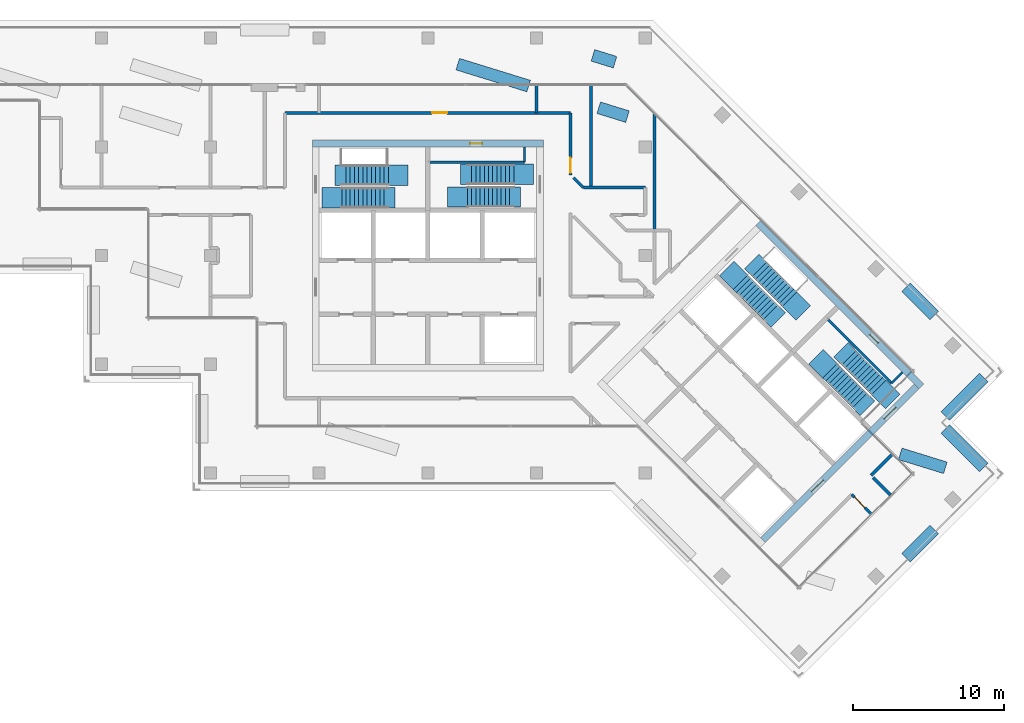
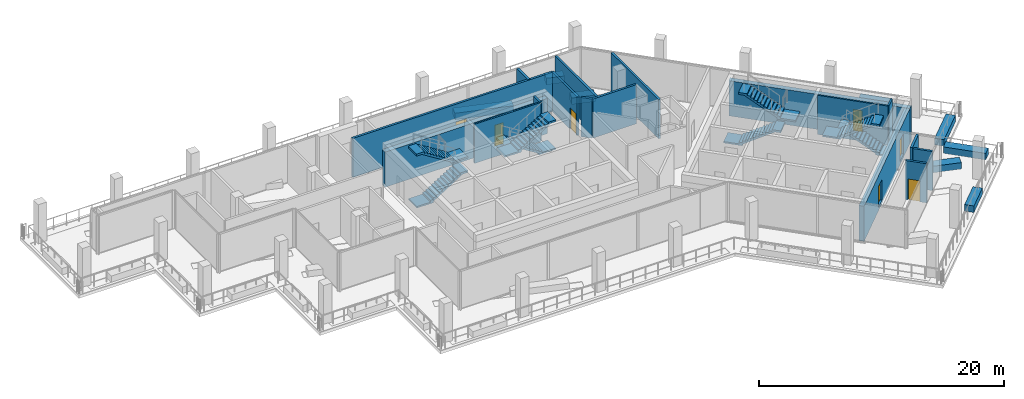
# One storey, part 11 of 20: 25 walls, 8 stair flights, 7 doors, 7 openings, 4 elements without a shape of their own.
"""IFC4 building model written with IfcOpenShell, lengths in metres."""

import ifcopenshell
import ifcopenshell.guid

model = None  # the IFC model being written
_history = None  # IfcOwnerHistory: only IFC2X3 demands one
_inside = {}  # id of a spatial element -> (the spatial element, [elements in it])
_under = {}  # id of a project, library or spatial element -> (it, [spatial elements below it])
_declared = {}  # id of a project -> (the project, [libraries it declares])
_typed = {}  # id of a type object -> (the type object, [elements of that type])
_made_of = {}  # id of a material, layer set ... -> (it, [elements and type objects made of it])


def new_model(schema):
    """Start an empty IFC model of exactly this schema.

    Asked for "IFC4X3", IfcOpenShell would pick the latest addendum, in which some entities
    have other attributes; the version numbers below select the first issue.
    IFC2X3 requires an IfcOwnerHistory on every rooted entity: one is made here for all.
    """
    global model, _history
    if schema == "IFC4X3":
        model = ifcopenshell.file(schema_version=(4, 3, 0, 0))
    else:
        model = ifcopenshell.file(schema=schema)
    _inside.clear()
    _under.clear()
    _declared.clear()
    _typed.clear()
    _made_of.clear()
    _history = None
    if model.schema == "IFC2X3":
        org = make("IfcOrganization", Name="unknown")
        user = make(
            "IfcPersonAndOrganization",
            ThePerson=make("IfcPerson", FamilyName="unknown"),
            TheOrganization=org,
        )
        app = make(
            "IfcApplication",
            ApplicationDeveloper=org,
            Version="unknown",
            ApplicationFullName="unknown",
            ApplicationIdentifier="unknown",
        )
        _history = make(
            "IfcOwnerHistory",
            OwningUser=user,
            OwningApplication=app,
            ChangeAction="ADDED",
            CreationDate=0,
        )
    return model


def make(cls, **values):
    """One entity of the class cls with the attributes given. An attribute that is None is left unset."""
    return model.create_entity(
        cls, **{name: value for name, value in values.items() if value is not None}
    )


def rooted(cls, **values):
    """An entity with a GlobalId (a new one), such as an element, a storey or a relation."""
    return make(cls, GlobalId=ifcopenshell.guid.new(), OwnerHistory=_history, **values)


def si_unit(unit_type, name, prefix=None):
    """IfcSIUnit, for example si_unit("LENGTHUNIT", "METRE", prefix="MILLI")."""
    return make("IfcSIUnit", UnitType=unit_type, Prefix=prefix, Name=name)


def assignment(units):
    """IfcUnitAssignment: the units of a project."""
    return None if units is None else make("IfcUnitAssignment", Units=units)


def point(xyz):
    """IfcCartesianPoint."""
    return None if xyz is None else make("IfcCartesianPoint", Coordinates=xyz)


def direction(xyz):
    """IfcDirection."""
    return None if xyz is None else make("IfcDirection", DirectionRatios=xyz)


def frame(location, z_axis=None, x_axis=None):
    """IfcAxis2Placement3D, a coordinate frame: its origin and axes. An axis left out is left unset."""
    return make(
        "IfcAxis2Placement3D",
        Location=point(location),
        Axis=direction(z_axis),
        RefDirection=direction(x_axis),
    )


def frame_2d(location, x_axis=None):
    """IfcAxis2Placement2D, a coordinate frame in the plane: its origin and x axis."""
    return make(
        "IfcAxis2Placement2D", Location=point(location), RefDirection=direction(x_axis)
    )


def origin():
    """The frame at (0, 0, 0) with its axes left unset."""
    return frame((0.0, 0.0, 0.0))


def place(relative_to, where):
    """IfcLocalPlacement: puts the frame where relative to a parent placement (None: the world)."""
    return make(
        "IfcLocalPlacement", PlacementRelTo=relative_to, RelativePlacement=where
    )


def context(
    kind, dimensions, precision=None, world=None, true_north=None, identifier=None
):
    """IfcGeometricRepresentationContext, for example the 3D "Model" context."""
    return make(
        "IfcGeometricRepresentationContext",
        ContextIdentifier=identifier,
        ContextType=kind,
        CoordinateSpaceDimension=dimensions,
        Precision=precision,
        WorldCoordinateSystem=world,
        TrueNorth=true_north,
    )


def subcontext(parent, identifier, kind, view, scale=None):
    """IfcGeometricRepresentationSubContext, for example "Body" below "Model"."""
    return make(
        "IfcGeometricRepresentationSubContext",
        ContextIdentifier=identifier,
        ContextType=kind,
        ParentContext=parent,
        TargetScale=scale,
        TargetView=view,
    )


def project(units=None, contexts=None):
    """IfcProject with its units and contexts."""
    return rooted(
        "IfcProject",
        Name="project",
        RepresentationContexts=contexts,
        UnitsInContext=assignment(units),
    )


def spatial(cls, under=None, at=None, **own):
    """A site, building, storey or space (cls), placed at a placement, below another one or the project."""
    s = rooted(cls, ObjectPlacement=at, **own)
    if under is not None:
        _under.setdefault(under.id(), (under, []))[1].append(s)
    return s


def polyline(points):
    """IfcPolyline through the points."""
    return make("IfcPolyline", Points=[point(p) for p in points])


def profile(cls, at=None, kind="AREA", **sizes):
    """A parametric profile (cls). Its sizes go by their IFC names, for example OverallWidth=200.0."""
    return make(cls, ProfileType=kind, Position=at, **sizes)


def rectangle(**sizes):
    """IfcRectangleProfileDef."""
    return profile("IfcRectangleProfileDef", **sizes)


def outline(outer, holes=None, kind="AREA"):
    """IfcArbitraryClosedProfileDef: a profile drawn as a closed curve; with holes, ...WithVoids."""
    if holes is None:
        return make("IfcArbitraryClosedProfileDef", ProfileType=kind, OuterCurve=outer)
    return make(
        "IfcArbitraryProfileDefWithVoids",
        ProfileType=kind,
        OuterCurve=outer,
        InnerCurves=holes,
    )


def extrude(swept, where, along, depth):
    """IfcExtrudedAreaSolid: the profile swept, set in the frame where, extruded along a direction by depth."""
    return make(
        "IfcExtrudedAreaSolid",
        SweptArea=swept,
        Position=where,
        ExtrudedDirection=direction(along),
        Depth=depth,
    )


def shape(context_of_items, identifier, shape_type, items):
    """IfcShapeRepresentation: the items that make up one representation, for example the "Body"."""
    return make(
        "IfcShapeRepresentation",
        ContextOfItems=context_of_items,
        RepresentationIdentifier=identifier,
        RepresentationType=shape_type,
        Items=items,
    )


def material(Name=None, Category=None):
    """IfcMaterial."""
    return make("IfcMaterial", Name=Name, Category=Category)


def layer(
    of_material, thickness, ventilated=None, Name=None, Category=None, Priority=None
):
    """IfcMaterialLayer: one layer of a wall or slab, of a material (None: an air gap)."""
    return make(
        "IfcMaterialLayer",
        Material=of_material,
        LayerThickness=thickness,
        IsVentilated=ventilated,
        Name=Name,
        Category=Category,
        Priority=Priority,
    )


def layer_set(layers, Name=None):
    """IfcMaterialLayerSet."""
    return make("IfcMaterialLayerSet", MaterialLayers=layers, LayerSetName=Name)


def made_of(thing, what):
    """Note that an element or type object is made of a material, layer set ...; save() writes the relation."""
    if what is not None:
        _made_of.setdefault(what.id(), (what, []))[1].append(thing)
    return thing


def type_object(cls, material=None, **own):
    """A type object (cls), such as IfcWallType, which elements share."""
    return made_of(rooted(cls, **own), material)


def element(
    cls,
    number,
    at=None,
    inside=None,
    cuts=None,
    type_object=None,
    material=None,
    context=None,
    identifier="Body",
    shape_type=None,
    held_by="IfcProductDefinitionShape",
    body=None,
    shapes=None,
    **own,
):
    """One element of the class cls, such as IfcWall. Its Tag is "e" and its number.

    at: its placement. inside: the storey or other place that contains it. cuts: it is an
    opening in that element (IfcRelVoidsElement). A single representation is given by context,
    identifier, shape_type and body (its items); several are given by shapes. held_by: the class
    of the entity that holds the representations. save() writes the other relations.
    """
    e = rooted(cls, Tag="e%d" % number, ObjectPlacement=at, **own)
    if body is not None:
        shapes = [shape(context, identifier, shape_type, body)]
    if shapes is not None:
        e.Representation = make(held_by, Representations=shapes)
    if inside is not None:
        _inside.setdefault(inside.id(), (inside, []))[1].append(e)
    if cuts is not None:
        rooted(
            "IfcRelVoidsElement", RelatingBuildingElement=cuts, RelatedOpeningElement=e
        )
    if type_object is not None:
        _typed.setdefault(type_object.id(), (type_object, []))[1].append(e)
    return made_of(e, material)


def fill(opening, filler):
    """IfcRelFillsElement: the door or window that sits in an opening."""
    return rooted(
        "IfcRelFillsElement",
        RelatingOpeningElement=opening,
        RelatedBuildingElement=filler,
    )


def aggregate(whole, parts):
    """IfcRelAggregates: a whole, such as a stair, and the parts it consists of."""
    return rooted("IfcRelAggregates", RelatingObject=whole, RelatedObjects=parts)


def save(model, path):
    """Write the relations noted so far, then the file.

    IfcRelAggregates (storeys below a building ...), IfcRelContainedInSpatialStructure (elements
    in a storey), IfcRelDefinesByType, IfcRelAssociatesMaterial and IfcRelDeclares: one each for
    every whole, place, type object, material and project.
    """
    for whole, parts in _under.values():
        aggregate(whole, parts)
    for where, things in _inside.values():
        rooted(
            "IfcRelContainedInSpatialStructure",
            RelatedElements=things,
            RelatingStructure=where,
        )
    for kind, things in _typed.values():
        rooted("IfcRelDefinesByType", RelatedObjects=things, RelatingType=kind)
    for what, things in _made_of.values():
        rooted("IfcRelAssociatesMaterial", RelatedObjects=things, RelatingMaterial=what)
    for by, libraries in _declared.values():
        rooted("IfcRelDeclares", RelatingContext=by, RelatedDefinitions=libraries)
    model.write(path)


model = new_model("IFC4")

# Units and contexts
model_context = context("Model", 3, precision=1e-05, world=origin(), true_north=direction((0.0, 1.0)))
body_context = subcontext(model_context, "Body", "Model", "MODEL_VIEW")
ifc_project = project(units=[si_unit("LENGTHUNIT", "METRE"), si_unit("AREAUNIT", "SQUARE_METRE"), si_unit("VOLUMEUNIT", "CUBIC_METRE"), si_unit("PLANEANGLEUNIT", "RADIAN"), si_unit("MASSUNIT", "GRAM", prefix="KILO")], contexts=[model_context])

# Site, building, storey
site_placement = place(None, origin())
site = spatial("IfcSite", under=ifc_project, at=site_placement, CompositionType="ELEMENT")
building_placement = place(site_placement, origin())
building = spatial("IfcBuilding", under=site, at=building_placement, Name="Windrow Commons", CompositionType="ELEMENT")
storey_placement = place(building_placement, frame((0.0, 0.0, 239.6)))
storey = spatial("IfcBuildingStorey", under=building, at=storey_placement, Name="L65", CompositionType="ELEMENT", Elevation=239.6)

# Wall, opening, door
ifc_material_1 = material(Name="Blockwork partition", Category="masonry")
ifc_layer_1 = layer(ifc_material_1, 0.2)
ifc_layer_set_1 = layer_set([ifc_layer_1], Name="IW-CORRIDOR-200")
wall_type_1 = type_object("IfcWallType", Name="IW-CORRIDOR-200", PredefinedType="PARTITIONING", material=ifc_layer_set_1)
wall_1_placement = place(storey_placement, frame((55.35, 67.05, 0.0), z_axis=(0.0, 0.0, 1.0), x_axis=(1.0, 0.0, 0.0)))
wall_1 = element("IfcWall", 1, at=wall_1_placement, inside=storey, type_object=wall_type_1, Name="W-L65-W001", PredefinedType="PARTITIONING", context=body_context, shape_type="SweptSolid", body=[
    extrude(rectangle(XDim=18.9, YDim=0.2, at=frame_2d((9.45, 0.0))), origin(), (0.0, 0.0, 1.0), 3.9),
])
opening_1_placement = place(wall_1_placement, frame((9.7331, 0.0, 0.0)))
opening_1 = element("IfcOpeningElement", 2, at=opening_1_placement, cuts=wall_1, Name="Opening D310F", PredefinedType="OPENING", context=body_context, shape_type="SweptSolid", body=[
    extrude(rectangle(XDim=1.0, YDim=2.1, at=frame_2d((0.5, 1.05))), frame((0.0, 0.11, 0.0), z_axis=(0.0, -1.0, 0.0), x_axis=(1.0, 0.0, 0.0)), (0.0, 0.0, 1.0), 0.22),
])
ifc_material_2 = material(Name="Timber door leaf", Category="wood")
door_type_1 = type_object("IfcDoorType", Name="DT-AMENITY-1000", OperationType="SINGLE_SWING_LEFT", PredefinedType="DOOR", material=ifc_material_2)
door_1_placement = place(opening_1_placement, origin())
door_1 = element("IfcDoor", 3, at=door_1_placement, inside=storey, type_object=door_type_1, Name="D-L65-D011", OperationType="SINGLE_SWING_RIGHT", OverallHeight=2.1, OverallWidth=1.0, PredefinedType="DOOR", context=body_context, shape_type="SweptSolid", body=[
    extrude(rectangle(XDim=1.0, YDim=2.1, at=frame_2d((0.5, 1.05))), frame((0.0, 0.025, 0.0), z_axis=(0.0, -1.0, 0.0), x_axis=(1.0, 0.0, 0.0)), (0.0, 0.0, 1.0), 0.05),
])
fill(opening_1, door_1)

# Wall
wall_2_placement = place(storey_placement, frame((75.1, 62.1, 0.0), z_axis=(0.0, 0.0, 1.0), x_axis=(1.0, 0.0, 0.0)))
element("IfcWall", 4, at=wall_2_placement, inside=storey, type_object=wall_type_1, Name="W-L65-W017", PredefinedType="PARTITIONING", context=body_context, shape_type="SweptSolid", body=[
    extrude(rectangle(XDim=4.1, YDim=0.2, at=frame_2d((2.05, 0.0))), origin(), (0.0, 0.0, 1.0), 3.9),
])

# Wall, opening, door
wall_3_placement = place(storey_placement, frame((74.25, 62.95, 0.0), z_axis=(0.0, 0.0, 1.0), x_axis=(0.0, 1.0, 0.0)))
wall_3 = element("IfcWall", 5, at=wall_3_placement, inside=storey, type_object=wall_type_1, Name="W-L65-W018", PredefinedType="PARTITIONING", context=body_context, shape_type="SweptSolid", body=[
    extrude(rectangle(XDim=4.1, YDim=0.2, at=frame_2d((2.05, 0.0))), origin(), (0.0, 0.0, 1.0), 3.9),
])
opening_2_placement = place(wall_3_placement, frame((0.125, 0.0, 0.0)))
opening_2 = element("IfcOpeningElement", 6, at=opening_2_placement, cuts=wall_3, Name="Opening D310F", PredefinedType="OPENING", context=body_context, shape_type="SweptSolid", body=[
    extrude(rectangle(XDim=1.0, YDim=2.1, at=frame_2d((0.5, 1.05))), frame((0.0, 0.11, 0.0), z_axis=(0.0, -1.0, 0.0), x_axis=(1.0, 0.0, 0.0)), (0.0, 0.0, 1.0), 0.22),
])
door_2_placement = place(opening_2_placement, origin())
door_2 = element("IfcDoor", 7, at=door_2_placement, inside=storey, type_object=door_type_1, Name="D-L65-D010", OperationType="SINGLE_SWING_RIGHT", OverallHeight=2.1, OverallWidth=1.0, PredefinedType="DOOR", context=body_context, shape_type="SweptSolid", body=[
    extrude(rectangle(XDim=1.0, YDim=2.1, at=frame_2d((0.5, 1.05))), frame((0.0, 0.025, 0.0), z_axis=(0.0, -1.0, 0.0), x_axis=(1.0, 0.0, 0.0)), (0.0, 0.0, 1.0), 0.05),
])
fill(opening_2, door_2)

# Wall
wall_4_placement = place(storey_placement, frame((94.1551, 43.0449, 0.0), z_axis=(0.0, 0.0, 1.0), x_axis=(0.7065989848, 0.7076142132, 0.0)))
element("IfcWall", 8, at=wall_4_placement, inside=storey, type_object=wall_type_1, Name="W-L65-W032", PredefinedType="PARTITIONING", context=body_context, shape_type="SweptSolid", body=[
    extrude(rectangle(XDim=1.97, YDim=0.2, at=frame_2d((0.985, 0.0))), origin(), (0.0, 0.0, 1.0), 3.9),
])

# Wall, opening, door
wall_5_placement = place(storey_placement, frame((92.8806, 41.7666, 0.0), z_axis=(0.0, 0.0, 1.0), x_axis=(0.7071067812, -0.7071067812, 0.0)))
wall_5 = element("IfcWall", 9, at=wall_5_placement, inside=storey, type_object=wall_type_1, Name="W-L65-W038", PredefinedType="PARTITIONING", context=body_context, shape_type="SweptSolid", body=[
    extrude(rectangle(XDim=1.8187, YDim=0.2, at=frame_2d((0.9093, 0.0))), origin(), (0.0, 0.0, 1.0), 3.9),
])
opening_3_placement = place(wall_5_placement, frame((0.2429, 0.0, 0.0)))
opening_3 = element("IfcOpeningElement", 10, at=opening_3_placement, cuts=wall_5, Name="Opening D310F", PredefinedType="OPENING", context=body_context, shape_type="SweptSolid", body=[
    extrude(rectangle(XDim=1.0, YDim=2.1, at=frame_2d((0.5, 1.05))), frame((0.0, 0.11, 0.0), z_axis=(0.0, -1.0, 0.0), x_axis=(1.0, 0.0, 0.0)), (0.0, 0.0, 1.0), 0.22),
])
door_3_placement = place(opening_3_placement, origin())
door_3 = element("IfcDoor", 11, at=door_3_placement, inside=storey, type_object=door_type_1, Name="D-L65-D014", OperationType="SINGLE_SWING_LEFT", OverallHeight=2.1, OverallWidth=1.0, PredefinedType="DOOR", context=body_context, shape_type="SweptSolid", body=[
    extrude(rectangle(XDim=1.0, YDim=2.1, at=frame_2d((0.5, 1.05))), frame((0.0, 0.025, 0.0), z_axis=(0.0, -1.0, 0.0), x_axis=(1.0, 0.0, 0.0)), (0.0, 0.0, 1.0), 0.05),
])
fill(opening_3, door_3)

# Walls
wall_6_placement = place(storey_placement, frame((94.2934, 42.8994, 0.0), z_axis=(0.0, 0.0, 1.0), x_axis=(0.7071067812, -0.7071067812, 0.0)))
element("IfcWall", 12, at=wall_6_placement, inside=storey, type_object=wall_type_1, Name="W-L65-W040", PredefinedType="PARTITIONING", context=body_context, shape_type="SweptSolid", body=[
    extrude(rectangle(XDim=1.6207, YDim=0.2, at=frame_2d((0.8104, 0.0))), origin(), (0.0, 0.0, 1.0), 3.9),
])
wall_7_placement = place(storey_placement, frame((74.4535, 62.7535, 0.0), z_axis=(0.0, 0.0, 1.0), x_axis=(0.7071067812, -0.7071067812, 0.0)))
element("IfcWall", 13, at=wall_7_placement, inside=storey, type_object=wall_type_1, Name="W-L65-W050", PredefinedType="PARTITIONING", context=body_context, shape_type="SweptSolid", body=[
    extrude(rectangle(XDim=0.9192, YDim=0.2, at=frame_2d((0.4596, 0.0))), origin(), (0.0, 0.0, 1.0), 3.9),
])
ifc_material_3 = material(Name="Blockwork partition", Category="masonry")
ifc_layer_2 = layer(ifc_material_3, 0.2)
ifc_layer_set_2 = layer_set([ifc_layer_2], Name="IW-PARTY-200")
wall_type_2 = type_object("IfcWallType", Name="IW-PARTY-200", PredefinedType="PARTITIONING", material=ifc_layer_set_2)
wall_8_placement = place(storey_placement, frame((79.8, 59.25, 0.0), z_axis=(0.0, 0.0, 1.0), x_axis=(0.0, 1.0, 0.0)))
element("IfcWall", 14, at=wall_8_placement, inside=storey, type_object=wall_type_2, Name="W-L65-W003", PredefinedType="PARTITIONING", context=body_context, shape_type="SweptSolid", body=[
    extrude(rectangle(XDim=7.724, YDim=0.2, at=frame_2d((3.862, 0.0))), origin(), (0.0, 0.0, 1.0), 3.9),
])
wall_9_placement = place(storey_placement, frame((75.6, 62.1, 0.0), z_axis=(0.0, 0.0, 1.0), x_axis=(0.0, 1.0, 0.0)))
element("IfcWall", 15, at=wall_9_placement, inside=storey, type_object=wall_type_2, Name="W-L65-W007", PredefinedType="PARTITIONING", context=body_context, shape_type="SweptSolid", body=[
    extrude(rectangle(XDim=6.77, YDim=0.2, at=frame_2d((3.385, 0.0))), origin(), (0.0, 0.0, 1.0), 3.9),
])
wall_10_placement = place(storey_placement, frame((72.0, 67.05, 0.0), z_axis=(0.0, 0.0, 1.0), x_axis=(0.0, 1.0, 0.0)))
element("IfcWall", 16, at=wall_10_placement, inside=storey, type_object=wall_type_2, Name="W-L65-W035", PredefinedType="PARTITIONING", context=body_context, shape_type="SweptSolid", body=[
    extrude(rectangle(XDim=1.82, YDim=0.2, at=frame_2d((0.91, 0.0))), origin(), (0.0, 0.0, 1.0), 3.9),
])
ifc_material_4 = material(Name="Concrete C30/37 planter wall", Category="concrete")
ifc_layer_3 = layer(ifc_material_4, 0.8)
ifc_layer_set_3 = layer_set([ifc_layer_3], Name="Planter 800x600")
wall_type_3 = type_object("IfcWallType", Name="Planter 800x600", PredefinedType="SOLIDWALL", material=ifc_layer_set_3)
wall_11_placement = place(storey_placement, frame((96.4735, 37.5839, 0.0), z_axis=(0.0, 0.0, 1.0), x_axis=(0.7071067812, 0.7071067812, 0.0)))
element("IfcWall", 17, at=wall_11_placement, inside=storey, type_object=wall_type_3, Name="PLANTER TR-L65-1.1", PredefinedType="SOLIDWALL", context=body_context, shape_type="SweptSolid", body=[
    extrude(rectangle(XDim=2.6433, YDim=0.8, at=frame_2d((1.3216, 0.0))), origin(), (0.0, 0.0, 1.0), 0.65),
])
wall_12_placement = place(storey_placement, frame((101.6153, 43.5743, 0.0), z_axis=(0.0, 0.0, 1.0), x_axis=(-0.707092892, 0.7071206701, 0.0)))
element("IfcWall", 18, at=wall_12_placement, inside=storey, type_object=wall_type_3, Name="PLANTER TR-L65-1.2", PredefinedType="SOLIDWALL", context=body_context, shape_type="SweptSolid", body=[
    extrude(rectangle(XDim=3.6, YDim=0.8, at=frame_2d((1.8, 0.0))), origin(), (0.0, 0.0, 1.0), 0.65),
])
wall_13_placement = place(storey_placement, frame((99.0698, 46.9685, 0.0), z_axis=(0.0, 0.0, 1.0), x_axis=(0.7071067812, 0.7071067812, 0.0)))
element("IfcWall", 19, at=wall_13_placement, inside=storey, type_object=wall_type_3, Name="PLANTER TR-L65-1.3", PredefinedType="SOLIDWALL", context=body_context, shape_type="SweptSolid", body=[
    extrude(rectangle(XDim=3.5999, YDim=0.8, at=frame_2d((1.7999, 0.0))), origin(), (0.0, 0.0, 1.0), 0.65),
])
wall_14_placement = place(storey_placement, frame((98.3426, 53.6353, 0.0), z_axis=(0.0, 0.0, 1.0), x_axis=(-0.7071067812, 0.7071067812, 0.0)))
element("IfcWall", 20, at=wall_14_placement, inside=storey, type_object=wall_type_3, Name="PLANTER TR-L65-1.4", PredefinedType="SOLIDWALL", context=body_context, shape_type="SweptSolid", body=[
    extrude(rectangle(XDim=2.6433, YDim=0.8, at=frame_2d((1.3216, 0.0))), origin(), (0.0, 0.0, 1.0), 0.65),
])
wall_15_placement = place(storey_placement, frame((77.2, 70.4042, 0.0), z_axis=(0.0, 0.0, 1.0), x_axis=(-0.9553589185, 0.295447689, 0.0)))
element("IfcWall", 21, at=wall_15_placement, inside=storey, type_object=wall_type_3, Name="PLANTER TR-L65-1 bed 1", PredefinedType="SOLIDWALL", context=body_context, shape_type="SweptSolid", body=[
    extrude(rectangle(XDim=1.5373, YDim=0.8, at=frame_2d((0.7687, 0.0))), origin(), (0.0, 0.0, 1.0), 0.65),
])
wall_16_placement = place(storey_placement, frame((78.0236, 66.8, 0.0), z_axis=(0.0, 0.0, 1.0), x_axis=(-0.9553580919, 0.2954503618, 0.0)))
element("IfcWall", 22, at=wall_16_placement, inside=storey, type_object=wall_type_3, Name="PLANTER TR-L65-1 bed 2", PredefinedType="SOLIDWALL", context=body_context, shape_type="SweptSolid", body=[
    extrude(rectangle(XDim=1.9926, YDim=0.8, at=frame_2d((0.9963, 0.0))), origin(), (0.0, 0.0, 1.0), 0.65),
])
wall_17_placement = place(storey_placement, frame((71.48, 68.8236, 0.0), z_axis=(0.0, 0.0, 1.0), x_axis=(-0.9553587294, 0.2954483004, 0.0)))
element("IfcWall", 23, at=wall_17_placement, inside=storey, type_object=wall_type_3, Name="PLANTER TR-L65-1 bed 3", PredefinedType="SOLIDWALL", context=body_context, shape_type="SweptSolid", body=[
    extrude(rectangle(XDim=4.9193, YDim=0.8, at=frame_2d((2.4596, 0.0))), origin(), (0.0, 0.0, 1.0), 0.65),
])
wall_18_placement = place(storey_placement, frame((99.0729, 43.5429, 0.0), z_axis=(0.0, 0.0, 1.0), x_axis=(-0.9553611302, 0.295440537, 0.0)))
element("IfcWall", 24, at=wall_18_placement, inside=storey, type_object=wall_type_3, Name="PLANTER TR-L65-1 bed 9", PredefinedType="SOLIDWALL", context=body_context, shape_type="SweptSolid", body=[
    extrude(rectangle(XDim=3.1272, YDim=0.8, at=frame_2d((1.5636, 0.0))), origin(), (0.0, 0.0, 1.0), 0.65),
])

# Wall, opening, door
ifc_material_5 = material(Name="Concrete C40/50", Category="concrete")
ifc_layer_4 = layer(ifc_material_5, 0.45)
ifc_layer_set_4 = layer_set([ifc_layer_4], Name="RC CORE WALL 450 C40/50")
wall_type_4 = type_object("IfcWallType", Name="RC CORE WALL 450 C40/50", PredefinedType="SHEAR", material=ifc_layer_set_4)
wall_19_placement = place(storey_placement, frame((57.15, 65.025, -0.3), z_axis=(0.0, 0.0, 1.0), x_axis=(1.0, 0.0, 0.0)))
wall_19 = element("IfcWall", 25, at=wall_19_placement, inside=storey, type_object=wall_type_4, Name="Core A wall outer-N", PredefinedType="SHEAR", context=body_context, shape_type="SweptSolid", body=[
    extrude(rectangle(XDim=15.3, YDim=0.45, at=frame_2d((7.65, 0.0))), origin(), (0.0, 0.0, 1.0), 3.5),
])
opening_4_placement = place(wall_19_placement, frame((10.45, 0.0, 0.3)))
opening_4 = element("IfcOpeningElement", 26, at=opening_4_placement, cuts=wall_19, Name="Opening D9", PredefinedType="OPENING", context=body_context, shape_type="SweptSolid", body=[
    extrude(rectangle(XDim=0.8, YDim=2.1, at=frame_2d((0.4, 1.05))), frame((0.0, 0.235, 0.0), z_axis=(0.0, -1.0, 0.0), x_axis=(1.0, 0.0, 0.0)), (0.0, 0.0, 1.0), 0.47),
])
ifc_material_6 = material(Name="Steel fire door leaf", Category="steel")
door_type_2 = type_object("IfcDoorType", Name="Riser access door 800", OperationType="SINGLE_SWING_LEFT", PredefinedType="DOOR", material=ifc_material_6)
door_4_placement = place(opening_4_placement, origin())
door_4 = element("IfcDoor", 27, at=door_4_placement, inside=storey, type_object=door_type_2, Name="Riser access door", OperationType="SINGLE_SWING_RIGHT", OverallHeight=2.1, OverallWidth=0.8, PredefinedType="DOOR", context=body_context, shape_type="SweptSolid", body=[
    extrude(rectangle(XDim=0.8, YDim=2.1, at=frame_2d((0.4, 1.05))), frame((0.0, 0.025, 0.0), z_axis=(0.0, -1.0, 0.0), x_axis=(1.0, 0.0, 0.0)), (0.0, 0.0, 1.0), 0.05),
])
fill(opening_4, door_4)

wall_20_placement = place(storey_placement, frame((86.6777, 59.7494, -0.3), z_axis=(0.0, 0.0, 1.0), x_axis=(0.7071035132, -0.7071100491, 0.0)))
wall_20 = element("IfcWall", 28, at=wall_20_placement, inside=storey, type_object=wall_type_4, Name="Core B wall outer-N", PredefinedType="SHEAR", context=body_context, shape_type="SweptSolid", body=[
    extrude(rectangle(XDim=15.3, YDim=0.45, at=frame_2d((7.65, 0.0))), origin(), (0.0, 0.0, 1.0), 3.5),
])
opening_5_placement = place(wall_20_placement, frame((10.45, 0.0, 0.3)))
opening_5 = element("IfcOpeningElement", 29, at=opening_5_placement, cuts=wall_20, Name="Opening D9", PredefinedType="OPENING", context=body_context, shape_type="SweptSolid", body=[
    extrude(rectangle(XDim=0.8, YDim=2.1, at=frame_2d((0.4, 1.05))), frame((0.0, 0.235, 0.0), z_axis=(0.0, -1.0, 0.0), x_axis=(1.0, 0.0, 0.0)), (0.0, 0.0, 1.0), 0.47),
])
door_5_placement = place(opening_5_placement, origin())
door_5 = element("IfcDoor", 30, at=door_5_placement, inside=storey, type_object=door_type_2, Name="Riser access door", OperationType="SINGLE_SWING_RIGHT", OverallHeight=2.1, OverallWidth=0.8, PredefinedType="DOOR", context=body_context, shape_type="SweptSolid", body=[
    extrude(rectangle(XDim=0.8, YDim=2.1, at=frame_2d((0.4, 1.05))), frame((0.0, 0.025, 0.0), z_axis=(0.0, -1.0, 0.0), x_axis=(1.0, 0.0, 0.0)), (0.0, 0.0, 1.0), 0.05),
])
fill(opening_5, door_5)

# Wall, openings, doors
wall_21_placement = place(storey_placement, frame((86.9959, 38.7483, -0.3), z_axis=(0.0, 0.0, 1.0), x_axis=(0.7071067812, 0.7071067812, 0.0)))
wall_21 = element("IfcWall", 31, at=wall_21_placement, inside=storey, type_object=wall_type_4, Name="Core B wall outer-E", PredefinedType="SHEAR", context=body_context, shape_type="SweptSolid", body=[
    extrude(rectangle(XDim=14.3999, YDim=0.45, at=frame_2d((7.2, 0.0))), origin(), (0.0, 0.0, 1.0), 3.5),
])
opening_6_placement = place(wall_21_placement, frame((4.55, 0.0, 0.3)))
opening_6 = element("IfcOpeningElement", 32, at=opening_6_placement, cuts=wall_21, Name="Opening D6", PredefinedType="OPENING", context=body_context, shape_type="SweptSolid", body=[
    extrude(rectangle(XDim=1.1, YDim=2.1, at=frame_2d((0.55, 1.05))), frame((0.0, 0.235, 0.0), z_axis=(0.0, -1.0, 0.0), x_axis=(1.0, 0.0, 0.0)), (0.0, 0.0, 1.0), 0.47),
])
opening_7_placement = place(wall_21_placement, frame((11.35, 0.0, 0.3)))
opening_7 = element("IfcOpeningElement", 33, at=opening_7_placement, cuts=wall_21, Name="Opening D7", PredefinedType="OPENING", context=body_context, shape_type="SweptSolid", body=[
    extrude(rectangle(XDim=1.1, YDim=2.1, at=frame_2d((0.55, 1.05))), frame((0.0, 0.235, 0.0), z_axis=(0.0, -1.0, 0.0), x_axis=(1.0, 0.0, 0.0)), (0.0, 0.0, 1.0), 0.47),
])
ifc_material_7 = material(Name="Steel fire door leaf", Category="steel")
door_type_3 = type_object("IfcDoorType", Name="Core lobby door 1100", OperationType="SINGLE_SWING_LEFT", PredefinedType="DOOR", material=ifc_material_7)
door_6_placement = place(opening_6_placement, origin())
door_6 = element("IfcDoor", 34, at=door_6_placement, inside=storey, type_object=door_type_3, Name="Lift lobby door", OperationType="DOUBLE_DOOR_SINGLE_SWING", OverallHeight=2.1, OverallWidth=1.1, PredefinedType="DOOR", context=body_context, shape_type="SweptSolid", body=[
    extrude(rectangle(XDim=1.1, YDim=2.1, at=frame_2d((0.55, 1.05))), frame((0.0, 0.025, 0.0), z_axis=(0.0, -1.0, 0.0), x_axis=(1.0, 0.0, 0.0)), (0.0, 0.0, 1.0), 0.05),
])
fill(opening_6, door_6)
ifc_material_8 = material(Name="Steel fire door leaf", Category="steel")
door_type_4 = type_object("IfcDoorType", Name="Stair door 1100", OperationType="SINGLE_SWING_LEFT", PredefinedType="DOOR", material=ifc_material_8)
door_7_placement = place(opening_7_placement, origin())
door_7 = element("IfcDoor", 35, at=door_7_placement, inside=storey, type_object=door_type_4, Name="Stair door", OperationType="SINGLE_SWING_RIGHT", OverallHeight=2.1, OverallWidth=1.1, PredefinedType="DOOR", context=body_context, shape_type="SweptSolid", body=[
    extrude(rectangle(XDim=1.1, YDim=2.1, at=frame_2d((0.55, 1.05))), frame((0.0, 0.025, 0.0), z_axis=(0.0, -1.0, 0.0), x_axis=(1.0, 0.0, 0.0)), (0.0, 0.0, 1.0), 0.05),
])
fill(opening_7, door_7)

# Walls
ifc_material_9 = material(Name="Blockwork partition", Category="masonry")
ifc_layer_5 = layer(ifc_material_9, 0.15)
ifc_layer_set_5 = layer_set([ifc_layer_5], Name="Riser partition 150")
wall_type_5 = type_object("IfcWallType", Name="Riser partition 150", PredefinedType="PARTITIONING", material=ifc_layer_set_5)
wall_22_placement = place(storey_placement, frame((64.95, 63.78, 0.0), z_axis=(0.0, 0.0, 1.0), x_axis=(1.0, 0.0, 0.0)))
element("IfcWall", 36, at=wall_22_placement, inside=storey, type_object=wall_type_5, Name="W-core-strip-A-L65", PredefinedType="PARTITIONING", context=body_context, shape_type="SweptSolid", body=[
    extrude(rectangle(XDim=6.25, YDim=0.15, at=frame_2d((3.125, 0.0))), origin(), (0.0, 0.0, 1.0), 3.9),
])
wall_23_placement = place(storey_placement, frame((71.2, 63.78, 0.0), z_axis=(0.0, 0.0, 1.0), x_axis=(0.0, 1.0, 0.0)))
element("IfcWall", 37, at=wall_23_placement, inside=storey, type_object=wall_type_5, Name="W-core-stripx-A-L65-1", PredefinedType="PARTITIONING", context=body_context, shape_type="SweptSolid", body=[
    extrude(rectangle(XDim=1.02, YDim=0.15, at=frame_2d((0.51, 0.0))), origin(), (0.0, 0.0, 1.0), 3.9),
])
wall_24_placement = place(storey_placement, frame((91.3127, 53.3536, 0.0), z_axis=(0.0, 0.0, 1.0), x_axis=(0.7071067812, -0.7071067812, 0.0)))
element("IfcWall", 38, at=wall_24_placement, inside=storey, type_object=wall_type_5, Name="W-core-strip-B-L65", PredefinedType="PARTITIONING", context=body_context, shape_type="SweptSolid", body=[
    extrude(rectangle(XDim=5.95, YDim=0.15, at=frame_2d((2.975, 0.0))), origin(), (0.0, 0.0, 1.0), 3.9),
])
wall_25_placement = place(storey_placement, frame((95.52, 49.1463, 0.0), z_axis=(0.0, 0.0, 1.0), x_axis=(0.7071067812, 0.7071067812, 0.0)))
element("IfcWall", 39, at=wall_25_placement, inside=storey, type_object=wall_type_5, Name="W-core-stripx-B-L65-1", PredefinedType="PARTITIONING", context=body_context, shape_type="SweptSolid", body=[
    extrude(rectangle(XDim=1.0201, YDim=0.15, at=frame_2d((0.5101, 0.0))), origin(), (0.0, 0.0, 1.0), 3.9),
])

# Stair, stair flights
ifc_material_10 = material(Name="Concrete C40/50", Category="concrete")
stair_type = type_object("IfcStairType", Name="Core stair", PredefinedType="HALF_TURN_STAIR", material=ifc_material_10)
placement = place(storey_placement, origin())
stair_1 = element("IfcStair", 40, at=placement, inside=storey, type_object=stair_type, Name="L65 Exit stair A1 core A", PredefinedType="HALF_TURN_STAIR")
ifc_material_11 = material(Name="Concrete C40/50", Category="concrete")
stair_flight_type = type_object("IfcStairFlightType", Name="Core stair flight", PredefinedType="STRAIGHT", material=ifc_material_11)
stair_flight_1_placement = place(storey_placement, frame((59.1, 61.425, 0.0), z_axis=(0.0, 0.0, 1.0), x_axis=(1.0, 0.0, 0.0)))
stair_flight_1 = element("IfcStairFlight", 41, at=stair_flight_1_placement, type_object=stair_flight_type, Name="ST-A1 flight 1", NumberOfRisers=12, NumberOfTreads=11, PredefinedType="STRAIGHT", RiserHeight=0.175, TreadLength=0.28, context=body_context, shape_type="SweptSolid", body=[
    extrude(outline(polyline([(-1.3, -0.15), (-1.3, 0.0), (0.0, 0.0), (0.0, 0.175), (0.28, 0.175), (0.28, 0.35), (0.56, 0.35), (0.56, 0.525), (0.84, 0.525), (0.84, 0.7), (1.12, 0.7), (1.12, 0.875), (1.4, 0.875), (1.4, 1.05), (1.68, 1.05), (1.68, 1.225), (1.96, 1.225), (1.96, 1.4), (2.24, 1.4), (2.24, 1.575), (2.52, 1.575), (2.52, 1.75), (2.8, 1.75), (2.8, 1.925), (3.08, 1.925), (3.53, 1.925), (3.53, 1.725), (3.08, 1.725), (3.08, 1.7481), (0.283, 0.0), (0.283, -0.15), (-1.3, -0.15)])), frame((0.0, 0.675, 0.0), z_axis=(0.0, -1.0, 0.0), x_axis=(1.0, 0.0, 0.0)), (0.0, 0.0, 1.0), 1.35),
])
stair_flight_2_placement = place(storey_placement, frame((62.18, 62.925, 2.1), z_axis=(0.0, 0.0, 1.0), x_axis=(-1.0, 0.0, 0.0)))
stair_flight_2 = element("IfcStairFlight", 42, at=stair_flight_2_placement, type_object=stair_flight_type, Name="ST-A1 flight 2", NumberOfRisers=12, NumberOfTreads=11, PredefinedType="STRAIGHT", RiserHeight=0.175, TreadLength=0.28, context=body_context, shape_type="SweptSolid", body=[
    extrude(outline(polyline([(-1.3, -0.15), (-1.3, 0.0), (0.0, 0.0), (0.0, 0.175), (0.28, 0.175), (0.28, 0.35), (0.56, 0.35), (0.56, 0.525), (0.84, 0.525), (0.84, 0.7), (1.12, 0.7), (1.12, 0.875), (1.4, 0.875), (1.4, 1.05), (1.68, 1.05), (1.68, 1.225), (1.96, 1.225), (1.96, 1.4), (2.24, 1.4), (2.24, 1.575), (2.52, 1.575), (2.52, 1.75), (2.8, 1.75), (2.8, 1.925), (3.08, 1.925), (3.53, 1.925), (3.53, 1.725), (3.08, 1.725), (3.08, 1.7481), (0.283, 0.0), (0.283, -0.15), (-1.3, -0.15)])), frame((0.0, 0.675, 0.0), z_axis=(0.0, -1.0, 0.0), x_axis=(1.0, 0.0, 0.0)), (0.0, 0.0, 1.0), 1.35),
])
aggregate(stair_1, [stair_flight_1, stair_flight_2])

stair_2 = element("IfcStair", 43, at=placement, inside=storey, type_object=stair_type, Name="L65 Exit stair A2 core A", PredefinedType="HALF_TURN_STAIR")
stair_flight_3_placement = place(storey_placement, frame((70.5, 62.98, 0.0), z_axis=(0.0, 0.0, 1.0), x_axis=(-1.0, 0.0, 0.0)))
stair_flight_3 = element("IfcStairFlight", 44, at=stair_flight_3_placement, type_object=stair_flight_type, Name="ST-A2 flight 1", NumberOfRisers=12, NumberOfTreads=11, PredefinedType="STRAIGHT", RiserHeight=0.175, TreadLength=0.28, context=body_context, shape_type="SweptSolid", body=[
    extrude(outline(polyline([(-1.3, -0.15), (-1.3, 0.0), (0.0, 0.0), (0.0, 0.175), (0.28, 0.175), (0.28, 0.35), (0.56, 0.35), (0.56, 0.525), (0.84, 0.525), (0.84, 0.7), (1.12, 0.7), (1.12, 0.875), (1.4, 0.875), (1.4, 1.05), (1.68, 1.05), (1.68, 1.225), (1.96, 1.225), (1.96, 1.4), (2.24, 1.4), (2.24, 1.575), (2.52, 1.575), (2.52, 1.75), (2.8, 1.75), (2.8, 1.925), (3.08, 1.925), (3.53, 1.925), (3.53, 1.725), (3.08, 1.725), (3.08, 1.7481), (0.283, 0.0), (0.283, -0.15), (-1.3, -0.15)])), frame((0.0, 0.675, 0.0), z_axis=(0.0, -1.0, 0.0), x_axis=(1.0, 0.0, 0.0)), (0.0, 0.0, 1.0), 1.35),
])
stair_flight_4_placement = place(storey_placement, frame((67.42, 61.48, 2.1), z_axis=(0.0, 0.0, 1.0), x_axis=(1.0, 0.0, 0.0)))
stair_flight_4 = element("IfcStairFlight", 45, at=stair_flight_4_placement, type_object=stair_flight_type, Name="ST-A2 flight 2", NumberOfRisers=12, NumberOfTreads=11, PredefinedType="STRAIGHT", RiserHeight=0.175, TreadLength=0.28, context=body_context, shape_type="SweptSolid", body=[
    extrude(outline(polyline([(-1.3, -0.15), (-1.3, 0.0), (0.0, 0.0), (0.0, 0.175), (0.28, 0.175), (0.28, 0.35), (0.56, 0.35), (0.56, 0.525), (0.84, 0.525), (0.84, 0.7), (1.12, 0.7), (1.12, 0.875), (1.4, 0.875), (1.4, 1.05), (1.68, 1.05), (1.68, 1.225), (1.96, 1.225), (1.96, 1.4), (2.24, 1.4), (2.24, 1.575), (2.52, 1.575), (2.52, 1.75), (2.8, 1.75), (2.8, 1.925), (3.08, 1.925), (3.53, 1.925), (3.53, 1.725), (3.08, 1.725), (3.08, 1.7481), (0.283, 0.0), (0.283, -0.15), (-1.3, -0.15)])), frame((0.0, 0.675, 0.0), z_axis=(0.0, -1.0, 0.0), x_axis=(1.0, 0.0, 0.0)), (0.0, 0.0, 1.0), 1.35),
])
aggregate(stair_2, [stair_flight_3, stair_flight_4])

stair_3 = element("IfcStair", 46, at=placement, inside=storey, type_object=stair_type, Name="L65 Exit stair B1 core B", PredefinedType="HALF_TURN_STAIR")
stair_flight_5_placement = place(storey_placement, frame((85.5109, 55.8249, 0.0), z_axis=(0.0, 0.0, 1.0), x_axis=(0.7071067812, -0.7071067812, 0.0)))
stair_flight_5 = element("IfcStairFlight", 47, at=stair_flight_5_placement, type_object=stair_flight_type, Name="ST-B1 flight 1", NumberOfRisers=12, NumberOfTreads=11, PredefinedType="STRAIGHT", RiserHeight=0.175, TreadLength=0.28, context=body_context, shape_type="SweptSolid", body=[
    extrude(outline(polyline([(-1.3, -0.15), (-1.3, 0.0), (0.0, 0.0), (0.0, 0.175), (0.28, 0.175), (0.28, 0.35), (0.56, 0.35), (0.56, 0.525), (0.84, 0.525), (0.84, 0.7), (1.12, 0.7), (1.12, 0.875), (1.4, 0.875), (1.4, 1.05), (1.68, 1.05), (1.68, 1.225), (1.96, 1.225), (1.96, 1.4), (2.24, 1.4), (2.24, 1.575), (2.52, 1.575), (2.52, 1.75), (2.8, 1.75), (2.8, 1.925), (3.08, 1.925), (3.53, 1.925), (3.53, 1.725), (3.08, 1.725), (3.08, 1.7481), (0.283, 0.0), (0.283, -0.15), (-1.3, -0.15)])), frame((0.0, 0.675, 0.0), z_axis=(0.0, -1.0, 0.0), x_axis=(1.0, 0.0, 0.0)), (0.0, 0.0, 1.0), 1.35),
])
stair_flight_6_placement = place(storey_placement, frame((88.7495, 54.7077, 2.1), z_axis=(0.0, 0.0, 1.0), x_axis=(-0.7071067812, 0.7071067812, 0.0)))
stair_flight_6 = element("IfcStairFlight", 48, at=stair_flight_6_placement, type_object=stair_flight_type, Name="ST-B1 flight 2", NumberOfRisers=12, NumberOfTreads=11, PredefinedType="STRAIGHT", RiserHeight=0.175, TreadLength=0.28, context=body_context, shape_type="SweptSolid", body=[
    extrude(outline(polyline([(-1.3, -0.15), (-1.3, 0.0), (0.0, 0.0), (0.0, 0.175), (0.28, 0.175), (0.28, 0.35), (0.56, 0.35), (0.56, 0.525), (0.84, 0.525), (0.84, 0.7), (1.12, 0.7), (1.12, 0.875), (1.4, 0.875), (1.4, 1.05), (1.68, 1.05), (1.68, 1.225), (1.96, 1.225), (1.96, 1.4), (2.24, 1.4), (2.24, 1.575), (2.52, 1.575), (2.52, 1.75), (2.8, 1.75), (2.8, 1.925), (3.08, 1.925), (3.53, 1.925), (3.53, 1.725), (3.08, 1.725), (3.08, 1.7481), (0.283, 0.0), (0.283, -0.15), (-1.3, -0.15)])), frame((0.0, 0.675, 0.0), z_axis=(0.0, -1.0, 0.0), x_axis=(1.0, 0.0, 0.0)), (0.0, 0.0, 1.0), 1.35),
])
aggregate(stair_3, [stair_flight_5, stair_flight_6])

stair_4 = element("IfcStair", 49, at=placement, inside=storey, type_object=stair_type, Name="L65 Exit stair B2 core B", PredefinedType="HALF_TURN_STAIR")
stair_flight_7_placement = place(storey_placement, frame((94.6715, 48.8635, 0.0), z_axis=(0.0, 0.0, 1.0), x_axis=(-0.7071067812, 0.7071067812, 0.0)))
stair_flight_7 = element("IfcStairFlight", 50, at=stair_flight_7_placement, type_object=stair_flight_type, Name="ST-B2 flight 1", NumberOfRisers=12, NumberOfTreads=11, PredefinedType="STRAIGHT", RiserHeight=0.175, TreadLength=0.28, context=body_context, shape_type="SweptSolid", body=[
    extrude(outline(polyline([(-1.3, -0.15), (-1.3, 0.0), (0.0, 0.0), (0.0, 0.175), (0.28, 0.175), (0.28, 0.35), (0.56, 0.35), (0.56, 0.525), (0.84, 0.525), (0.84, 0.7), (1.12, 0.7), (1.12, 0.875), (1.4, 0.875), (1.4, 1.05), (1.68, 1.05), (1.68, 1.225), (1.96, 1.225), (1.96, 1.4), (2.24, 1.4), (2.24, 1.575), (2.52, 1.575), (2.52, 1.75), (2.8, 1.75), (2.8, 1.925), (3.08, 1.925), (3.53, 1.925), (3.53, 1.725), (3.08, 1.725), (3.08, 1.7481), (0.283, 0.0), (0.283, -0.15), (-1.3, -0.15)])), frame((0.0, 0.675, 0.0), z_axis=(0.0, -1.0, 0.0), x_axis=(1.0, 0.0, 0.0)), (0.0, 0.0, 1.0), 1.35),
])
stair_flight_8_placement = place(storey_placement, frame((91.4329, 49.9807, 2.1), z_axis=(0.0, 0.0, 1.0), x_axis=(0.7071067812, -0.7071067812, 0.0)))
stair_flight_8 = element("IfcStairFlight", 51, at=stair_flight_8_placement, type_object=stair_flight_type, Name="ST-B2 flight 2", NumberOfRisers=12, NumberOfTreads=11, PredefinedType="STRAIGHT", RiserHeight=0.175, TreadLength=0.28, context=body_context, shape_type="SweptSolid", body=[
    extrude(outline(polyline([(-1.3, -0.15), (-1.3, 0.0), (0.0, 0.0), (0.0, 0.175), (0.28, 0.175), (0.28, 0.35), (0.56, 0.35), (0.56, 0.525), (0.84, 0.525), (0.84, 0.7), (1.12, 0.7), (1.12, 0.875), (1.4, 0.875), (1.4, 1.05), (1.68, 1.05), (1.68, 1.225), (1.96, 1.225), (1.96, 1.4), (2.24, 1.4), (2.24, 1.575), (2.52, 1.575), (2.52, 1.75), (2.8, 1.75), (2.8, 1.925), (3.08, 1.925), (3.53, 1.925), (3.53, 1.725), (3.08, 1.725), (3.08, 1.7481), (0.283, 0.0), (0.283, -0.15), (-1.3, -0.15)])), frame((0.0, 0.675, 0.0), z_axis=(0.0, -1.0, 0.0), x_axis=(1.0, 0.0, 0.0)), (0.0, 0.0, 1.0), 1.35),
])
aggregate(stair_4, [stair_flight_7, stair_flight_8])

save(model, "model.ifc")
